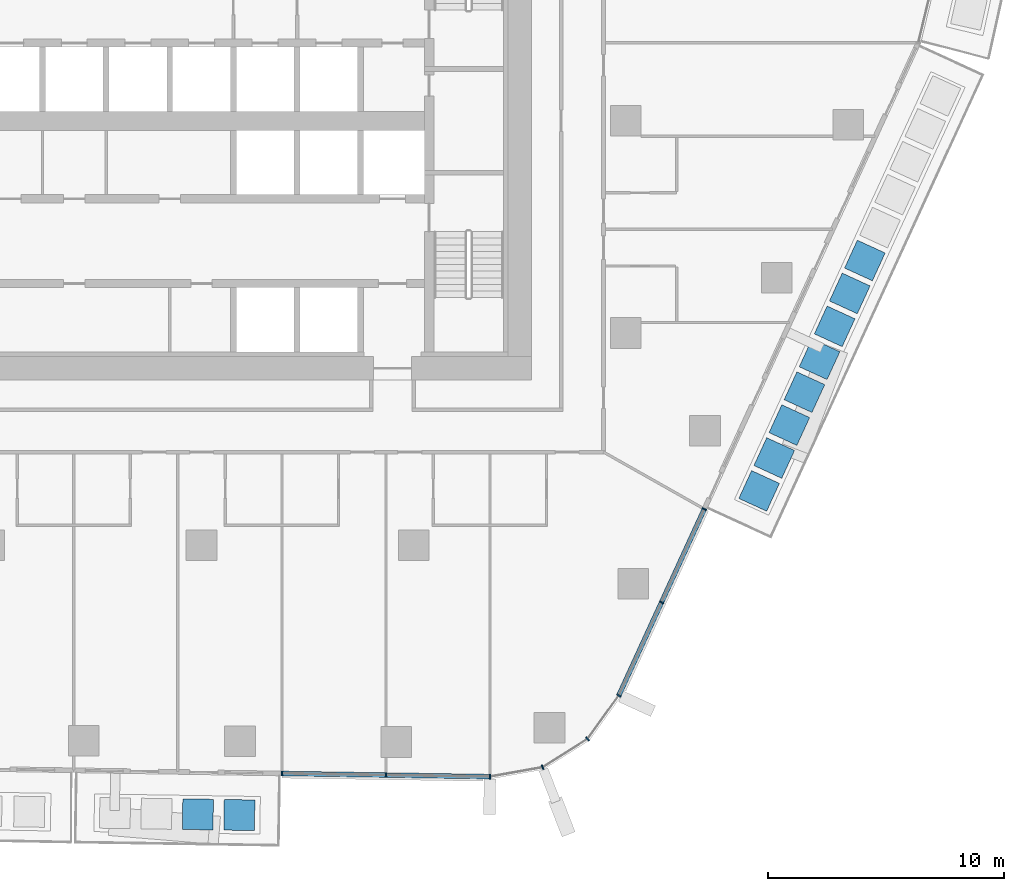
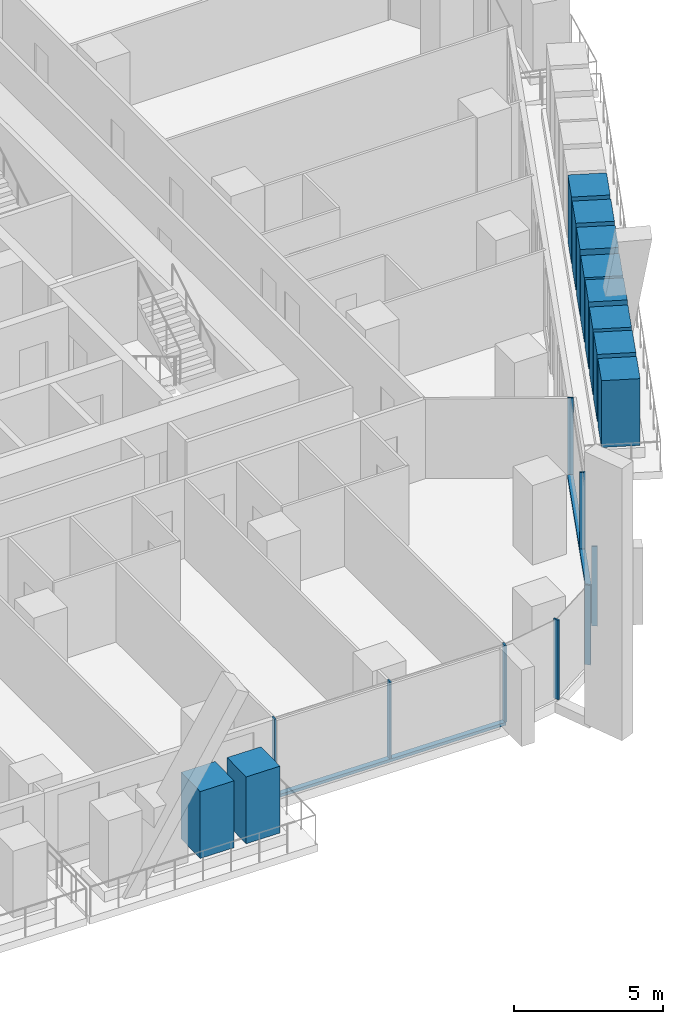
# One storey, part 4 of 26: 20 members, 3 elements without a shape of their own.
"""IFC4 building model written with IfcOpenShell, lengths in metres."""

from ifc_helpers import new_model, si_unit, direction, frame, origin, origin_2d, place, context, subcontext, project, spatial, rectangle, extrude, material, layer, layer_set, material_profile, profile_set, type_object, element, aggregate, save


model = new_model("IFC4")

# Units and contexts
model_context = context("Model", 3, precision=1e-05, world=origin(), true_north=direction((0.0, 1.0)))
body_context = subcontext(model_context, "Body", "Model", "MODEL_VIEW")
ifc_project = project(units=[si_unit("LENGTHUNIT", "METRE"), si_unit("AREAUNIT", "SQUARE_METRE"), si_unit("VOLUMEUNIT", "CUBIC_METRE"), si_unit("PLANEANGLEUNIT", "RADIAN"), si_unit("MASSUNIT", "GRAM", prefix="KILO")], contexts=[model_context])

# Site, building, storey
site_placement = place(None, origin())
site = spatial("IfcSite", under=ifc_project, at=site_placement, CompositionType="ELEMENT")
building_placement = place(site_placement, origin())
building = spatial("IfcBuilding", under=site, at=building_placement, Name="Dongbaek Canopy Tower", CompositionType="ELEMENT")
storey_placement = place(building_placement, frame((0.0, 0.0, 95.199951171875)))
storey = spatial("IfcBuildingStorey", under=building, at=storey_placement, Name="L19", CompositionType="ELEMENT", Elevation=95.199951171875)

# Curtain wall, members
ifc_material_1 = material(Name="Aluminium 6063-T6 pale anodised", Category="aluminium")
ifc_layer = layer(ifc_material_1, 0.199951171875)
ifc_layer_set = layer_set([ifc_layer], Name="CW-1 unitised tower curtain wall")
curtain_wall_type = type_object("IfcCurtainWallType", Name="CW-1 unitised tower curtain wall", PredefinedType="NOTDEFINED", material=ifc_layer_set)
curtain_wall_1_placement = place(storey_placement, origin())
curtain_wall_1 = element("IfcCurtainWall", 1, at=curtain_wall_1_placement, inside=storey, type_object=curtain_wall_type, Name="CW-1 curtain wall F4.1", PredefinedType="NOTDEFINED")
ifc_material_2 = material(Name="Aluminium 6063-T6 pale anodised", Category="aluminium")
ifc_material_profile_1 = material_profile(ifc_material_2, rectangle(XDim=0.199951171875, YDim=0.06005859375, at=origin_2d()), Name="CW-1 mullion 60 x 200")
ifc_profile_set_1 = profile_set([ifc_material_profile_1], Name="Aluminium 6063-T6 pale anodised")
member_type_1 = type_object("IfcMemberType", Name="CW-1 mullion 60 x 200", PredefinedType="MULLION", material=ifc_profile_set_1)
member_1_placement = place(storey_placement, frame((3.409912109375, -27.68505859375, 0.1201171875), z_axis=(0.0, 0.0, 1.0), x_axis=(-0.015412878639, -0.999881214531, 0.0)))
member_1 = element("IfcMember", 2, at=member_1_placement, type_object=member_type_1, Name="CW-1 mullion F4.1.1", PredefinedType="MULLION", context=body_context, shape_type="SweptSolid", body=[
    extrude(rectangle(XDim=0.199951171875, YDim=0.06005859375, at=origin_2d()), origin(), (0.0, 0.0, 1.0), 3.1298828125),
])
member_2_placement = place(storey_placement, frame((7.82666015625, -27.753173828125, 0.1201171875), z_axis=(0.0, 0.0, 1.0), x_axis=(-0.015412878639, -0.999881214531, 0.0)))
member_2 = element("IfcMember", 3, at=member_2_placement, type_object=member_type_1, Name="CW-1 mullion F4.1.2", PredefinedType="MULLION", context=body_context, shape_type="SweptSolid", body=[
    extrude(rectangle(XDim=0.199951171875, YDim=0.06005859375, at=origin_2d()), origin(), (0.0, 0.0, 1.0), 3.1298828125),
])
member_3_placement = place(storey_placement, frame((12.23388671875, -27.821044921875, 0.1201171875), z_axis=(0.0, 0.0, 1.0), x_axis=(-0.015412878639, -0.999881214531, 0.0)))
member_3 = element("IfcMember", 4, at=member_3_placement, type_object=member_type_1, Name="CW-1 mullion F4.1.3", PredefinedType="MULLION", context=body_context, shape_type="SweptSolid", body=[
    extrude(rectangle(XDim=0.199951171875, YDim=0.06005859375, at=origin_2d()), origin(), (0.0, 0.0, 1.0), 3.1298828125),
])

curtain_wall_2_placement = place(storey_placement, origin())
curtain_wall_2 = element("IfcCurtainWall", 5, at=curtain_wall_2_placement, inside=storey, type_object=curtain_wall_type, Name="CW-1 curtain wall K5.1", PredefinedType="NOTDEFINED")
member_4_placement = place(storey_placement, frame((14.466796875, -27.421142578125, 0.0), z_axis=(0.0, 0.0, 1.0), x_axis=(0.361518655107, -0.932364876006, 0.0)))
member_4 = element("IfcMember", 6, at=member_4_placement, type_object=member_type_1, Name="CW-1 mullion K5.1.2", PredefinedType="MULLION", context=body_context, shape_type="SweptSolid", body=[
    extrude(rectangle(XDim=0.199951171875, YDim=0.06005859375, at=origin_2d()), origin(), (0.0, 0.0, 1.0), 3.25),
])
member_5_placement = place(storey_placement, frame((16.377197265625, -26.216552734375, 0.0), z_axis=(0.0, 0.0, 1.0), x_axis=(0.685438598234, -0.728130433406, 0.0)))
member_5 = element("IfcMember", 7, at=member_5_placement, type_object=member_type_1, Name="CW-1 mullion K5.1.3", PredefinedType="MULLION", context=body_context, shape_type="SweptSolid", body=[
    extrude(rectangle(XDim=0.199951171875, YDim=0.06005859375, at=origin_2d()), origin(), (0.0, 0.0, 1.0), 3.25),
])
member_6_placement = place(storey_placement, frame((17.70068359375, -24.3740234375, 0.0), z_axis=(0.0, 0.0, 1.0), x_axis=(0.812169270301, -0.583421868273, 0.0)))
member_6 = element("IfcMember", 8, at=member_6_placement, type_object=member_type_1, Name="CW-1 mullion K5.1.4", PredefinedType="MULLION", context=body_context, shape_type="SweptSolid", body=[
    extrude(rectangle(XDim=0.199951171875, YDim=0.06005859375, at=origin_2d()), origin(), (0.0, 0.0, 1.0), 3.25),
])
aggregate(curtain_wall_2, [member_4, member_5, member_6])

curtain_wall_3_placement = place(storey_placement, origin())
curtain_wall_3 = element("IfcCurtainWall", 9, at=curtain_wall_3_placement, inside=storey, type_object=curtain_wall_type, Name="CW-1 curtain wall F5.1", PredefinedType="NOTDEFINED")
member_7_placement = place(storey_placement, frame((19.512939453125, -20.425537109375, 0.1201171875), z_axis=(0.0, 0.0, 1.0), x_axis=(0.908848678728, -0.417125975185, 0.0)))
member_7 = element("IfcMember", 10, at=member_7_placement, type_object=member_type_1, Name="CW-1 mullion F5.1.2", PredefinedType="MULLION", context=body_context, shape_type="SweptSolid", body=[
    extrude(rectangle(XDim=0.199951171875, YDim=0.06005859375, at=origin_2d()), origin(), (0.0, 0.0, 1.0), 3.1298828125),
])
member_8_placement = place(storey_placement, frame((21.329345703125, -16.468017578125, 0.1201171875), z_axis=(0.0, 0.0, 1.0), x_axis=(0.908848678728, -0.417125975185, 0.0)))
member_8 = element("IfcMember", 11, at=member_8_placement, type_object=member_type_1, Name="CW-1 mullion F5.1.3", PredefinedType="MULLION", context=body_context, shape_type="SweptSolid", body=[
    extrude(rectangle(XDim=0.199951171875, YDim=0.06005859375, at=origin_2d()), origin(), (0.0, 0.0, 1.0), 3.1298828125),
])

# Member
ifc_material_3 = material(Name="Aluminium 6063-T6 pale anodised", Category="aluminium")
ifc_material_profile_2 = material_profile(ifc_material_3, rectangle(XDim=0.199951171875, YDim=0.1201171875, at=origin_2d()), Name="CW-1 transom 120 x 200")
ifc_profile_set_2 = profile_set([ifc_material_profile_2], Name="Aluminium 6063-T6 pale anodised")
member_type_2 = type_object("IfcMemberType", Name="CW-1 transom 120 x 200", PredefinedType="USERDEFINED", material=ifc_profile_set_2)
member_9_placement = place(storey_placement, frame((3.409912109375, -27.68505859375, 0.06005859375), z_axis=(0.999881271591, -0.015409176556, 0.0), x_axis=(0.015409176556, 0.999881271591, 0.0)))
member_9 = element("IfcMember", 12, at=member_9_placement, type_object=member_type_2, Name="CW-1 transom F4.1.1", ObjectType="TRANSOM", PredefinedType="USERDEFINED", context=body_context, shape_type="SweptSolid", body=[
    extrude(rectangle(XDim=0.199951171875, YDim=0.1201171875, at=origin_2d()), origin(), (0.0, 0.0, 1.0), 8.824951171875),
])

aggregate(curtain_wall_1, [member_1, member_2, member_3, member_9])

member_10_placement = place(storey_placement, frame((17.70068359375, -24.3740234375, 0.06005859375), z_axis=(0.417136878422, 0.90884367449, 0.0), x_axis=(-0.90884367449, 0.417136878422, 0.0)))
member_10 = element("IfcMember", 13, at=member_10_placement, type_object=member_type_2, Name="CW-1 transom F5.1.1", ObjectType="TRANSOM", PredefinedType="USERDEFINED", context=body_context, shape_type="SweptSolid", body=[
    extrude(rectangle(XDim=0.199951171875, YDim=0.1201171875, at=origin_2d()), origin(), (0.0, 0.0, 1.0), 8.698974609375),
])

aggregate(curtain_wall_3, [member_7, member_8, member_10])

# Members
ifc_material_4 = material(Name="Concrete C40/50 planter mass with planting", Category="concrete")
ifc_material_profile_3 = material_profile(ifc_material_4, rectangle(XDim=1.300048828125, YDim=1.300048828125, at=origin_2d()), Name="Terrace PLANTER shrub mass 1300 x 1300")
ifc_profile_set_3 = profile_set([ifc_material_profile_3], Name="Concrete C40/50 planter mass with planting")
member_type_3 = type_object("IfcMemberType", Name="Terrace PLANTER shrub mass 1300 x 1300", PredefinedType="USERDEFINED", material=ifc_profile_set_3)
for number, where, z_axis, x_axis, name in (
    (14, (-0.1552734375, -29.420166015625, 0.420166015625), (0.0, 0.0, 1.0), (-0.015412878639, -0.999881214531, 0.0), "Planter shrubs L19 4.3"),
    (15, (1.603271484375, -29.447265625, 0.420166015625), (0.0, 0.0, 1.0), (-0.015412878639, -0.999881214531, 0.0), "Planter shrubs L19 4.4"),
    (16, (23.65185546875, -15.69873046875, 0.420166015625), (0.0, 0.0, 1.0), (0.908848678728, -0.417125975185, 0.0), "Planter shrubs L19 5.1"),
    (17, (24.292724609375, -14.302490234375, 0.420166015625), (0.0, 0.0, 1.0), (0.908848678728, -0.417125975185, 0.0), "Planter shrubs L19 5.2"),
):
    element("IfcMember", number, at=place(storey_placement, frame(where, z_axis=z_axis, x_axis=x_axis)), inside=storey, type_object=member_type_3, Name=name, ObjectType="PLANTER", PredefinedType="USERDEFINED", context=body_context, shape_type="SweptSolid", body=[
        extrude(rectangle(XDim=1.300048828125, YDim=1.300048828125, at=origin_2d()), origin(), (0.0, 0.0, 1.0), 2.72998046875),
    ])
member_11_placement = place(storey_placement, frame((24.93359375, -12.90625, 0.420166015625), z_axis=(0.0, 0.0, 1.0), x_axis=(0.908848678728, -0.417125975185, 0.0)))
element("IfcMember", 18, at=member_11_placement, inside=storey, type_object=member_type_3, Name="Planter shrubs L19 5.3", ObjectType="PLANTER", PredefinedType="USERDEFINED", context=body_context, shape_type="SweptSolid", body=[
    extrude(rectangle(XDim=1.300048828125, YDim=1.300048828125, at=origin_2d()), origin(), (0.0, 0.0, 1.0), 2.68994140625),
])
member_12_placement = place(storey_placement, frame((25.57421875, -11.510009765625, 0.420166015625), z_axis=(0.0, 0.0, 1.0), x_axis=(0.908848678728, -0.417125975185, 0.0)))
element("IfcMember", 19, at=member_12_placement, inside=storey, type_object=member_type_3, Name="Planter shrubs L19 5.4", ObjectType="PLANTER", PredefinedType="USERDEFINED", context=body_context, shape_type="SweptSolid", body=[
    extrude(rectangle(XDim=1.300048828125, YDim=1.300048828125, at=origin_2d()), origin(), (0.0, 0.0, 1.0), 2.72998046875),
])
member_13_placement = place(storey_placement, frame((26.215087890625, -10.11376953125, 0.420166015625), z_axis=(0.0, 0.0, 1.0), x_axis=(0.908848678728, -0.417125975185, 0.0)))
element("IfcMember", 20, at=member_13_placement, inside=storey, type_object=member_type_3, Name="Planter shrubs L19 5.5", ObjectType="PLANTER", PredefinedType="USERDEFINED", context=body_context, shape_type="SweptSolid", body=[
    extrude(rectangle(XDim=1.300048828125, YDim=1.300048828125, at=origin_2d()), origin(), (0.0, 0.0, 1.0), 2.64990234375),
])
for number, where, z_axis, x_axis, name in (
    (21, (26.85595703125, -8.717529296875, 0.420166015625), (0.0, 0.0, 1.0), (0.908848678728, -0.417125975185, 0.0), "Planter shrubs L19 5.6"),
    (22, (27.496826171875, -7.3212890625, 0.420166015625), (0.0, 0.0, 1.0), (0.908848678728, -0.417125975185, 0.0), "Planter shrubs L19 5.7"),
    (23, (28.1376953125, -5.925048828125, 0.420166015625), (0.0, 0.0, 1.0), (0.908848678728, -0.417125975185, 0.0), "Planter shrubs L19 5.8"),
):
    element("IfcMember", number, at=place(storey_placement, frame(where, z_axis=z_axis, x_axis=x_axis)), inside=storey, type_object=member_type_3, Name=name, ObjectType="PLANTER", PredefinedType="USERDEFINED", context=body_context, shape_type="SweptSolid", body=[
        extrude(rectangle(XDim=1.300048828125, YDim=1.300048828125, at=origin_2d()), origin(), (0.0, 0.0, 1.0), 2.72998046875),
    ])

save(model, "model.ifc")
